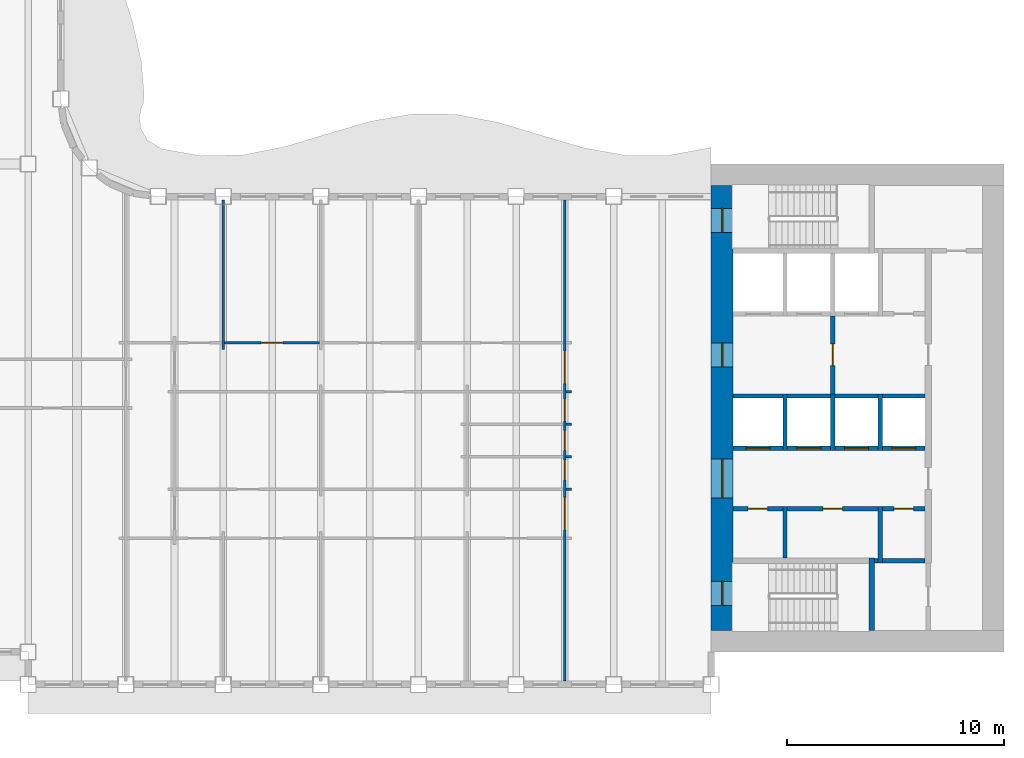
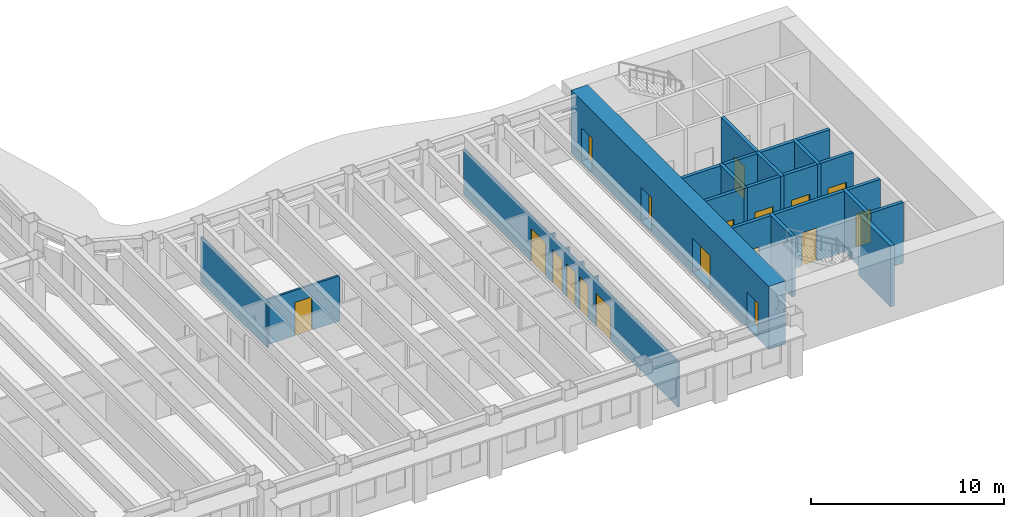
# One storey, part 6 of 16: 28 walls, 18 doors, 18 openings.
"""IFC4 building model written with IfcOpenShell, lengths in metres."""

from ifc_helpers import new_model, si_unit, direction, frame, frame_2d, origin, place, context, subcontext, project, spatial, rectangle, extrude, material, layer, layer_set, type_object, element, fill, save


model = new_model("IFC4")

# Units and contexts
model_context = context("Model", 3, precision=1e-05, world=origin(), true_north=direction((0.0, 1.0)))
body_context = subcontext(model_context, "Body", "Model", "MODEL_VIEW")
ifc_project = project(units=[si_unit("LENGTHUNIT", "METRE"), si_unit("AREAUNIT", "SQUARE_METRE"), si_unit("VOLUMEUNIT", "CUBIC_METRE"), si_unit("PLANEANGLEUNIT", "RADIAN"), si_unit("MASSUNIT", "GRAM", prefix="KILO")], contexts=[model_context])

# Site, building, storey
site_placement = place(None, origin())
site = spatial("IfcSite", under=ifc_project, at=site_placement, CompositionType="ELEMENT")
building_placement = place(site_placement, origin())
building = spatial("IfcBuilding", under=site, at=building_placement, Name="Sennacour Bend Tower", CompositionType="ELEMENT")
storey_placement = place(building_placement, frame((0.0, 0.0, 211.0)))
storey = spatial("IfcBuildingStorey", under=building, at=storey_placement, Name="L48", CompositionType="ELEMENT", Elevation=211.0)

# Wall, openings, doors
ifc_material_1 = material(Name="Concrete C60/75", Category="concrete")
ifc_layer_1 = layer(ifc_material_1, 1.0, Name="Concrete C60/75", Category="concrete")
ifc_layer_set_1 = layer_set([ifc_layer_1], Name="Concrete C60/75")
wall_type_1 = type_object("IfcWallType", Name="Core wall 1000 C60/75", PredefinedType="SHEAR", material=ifc_layer_set_1)
wall_1_placement = place(storey_placement, frame((54.5, 1.0, -0.14990234375), z_axis=(0.0, 0.0, 1.0), x_axis=(0.0, 1.0, 0.0)))
wall_1 = element("IfcWall", 1, at=wall_1_placement, inside=storey, type_object=wall_type_1, Name="Core A wall L48 W", PredefinedType="SHEAR", context=body_context, shape_type="SweptSolid", body=[
    extrude(rectangle(XDim=20.5, YDim=1.0, at=frame_2d((10.25, 0.0))), origin(), (0.0, 0.0, 1.0), 4.0),
])
opening_1_placement = place(wall_1_placement, frame((6.10009765625, 0.0, 0.14990234375)))
opening_1 = element("IfcOpeningElement", 2, at=opening_1_placement, cuts=wall_1, Name="Opening CD", PredefinedType="OPENING", context=body_context, shape_type="SweptSolid", body=[
    extrude(rectangle(XDim=1.800048828125, YDim=2.10009765625, at=frame_2d((0.89990234375, 1.050048828125))), frame((0.0, 0.510009765625, 0.0), z_axis=(0.0, -1.0, 0.0), x_axis=(1.0, 0.0, 0.0)), (0.0, 0.0, 1.0), 1.02001953125),
])
opening_2_placement = place(wall_1_placement, frame((12.14990234375, 0.0, 0.14990234375)))
opening_2 = element("IfcOpeningElement", 3, at=opening_2_placement, cuts=wall_1, Name="Opening FD", PredefinedType="OPENING", context=body_context, shape_type="SweptSolid", body=[
    extrude(rectangle(XDim=1.10009765625, YDim=2.10009765625, at=frame_2d((0.550048828125, 1.050048828125))), frame((0.0, 0.510009765625, 0.0), z_axis=(0.0, -1.0, 0.0), x_axis=(1.0, 0.0, 0.0)), (0.0, 0.0, 1.0), 1.02001953125),
])
opening_3_placement = place(wall_1_placement, frame((1.14990234375, 0.0, 0.14990234375)))
opening_3 = element("IfcOpeningElement", 4, at=opening_3_placement, cuts=wall_1, Name="Opening SD", PredefinedType="OPENING", context=body_context, shape_type="SweptSolid", body=[
    extrude(rectangle(XDim=1.10009765625, YDim=2.10009765625, at=frame_2d((0.550048828125, 1.050048828125))), frame((0.0, 0.510009765625, 0.0), z_axis=(0.0, -1.0, 0.0), x_axis=(1.0, 0.0, 0.0)), (0.0, 0.0, 1.0), 1.02001953125),
])
opening_4_placement = place(wall_1_placement, frame((18.35009765625, 0.0, 0.14990234375)))
opening_4 = element("IfcOpeningElement", 5, at=opening_4_placement, cuts=wall_1, Name="Opening SD", PredefinedType="OPENING", context=body_context, shape_type="SweptSolid", body=[
    extrude(rectangle(XDim=1.10009765625, YDim=2.10009765625, at=frame_2d((0.550048828125, 1.050048828125))), frame((0.0, 0.510009765625, 0.0), z_axis=(0.0, -1.0, 0.0), x_axis=(1.0, 0.0, 0.0)), (0.0, 0.0, 1.0), 1.02001953125),
])
ifc_material_2 = material(Name="Painted steel", Category="steel")
door_type_1 = type_object("IfcDoorType", Name="DR-FFL-1100", OperationType="NOTDEFINED", PredefinedType="DOOR", material=ifc_material_2)
door_1_placement = place(opening_2_placement, origin())
door_1 = element("IfcDoor", 6, at=door_1_placement, inside=storey, type_object=door_type_1, Name="Door", OperationType="SINGLE_SWING_RIGHT", OverallHeight=2.10009765625, OverallWidth=1.10009765625, PredefinedType="DOOR", context=body_context, shape_type="SweptSolid", body=[
    extrude(rectangle(XDim=1.10009765625, YDim=2.10009765625, at=frame_2d((0.550048828125, 1.050048828125))), frame((0.0, 0.02490234375, 0.0), z_axis=(0.0, -1.0, 0.0), x_axis=(1.0, 0.0, 0.0)), (0.0, 0.0, 1.0), 0.050048828125),
])
fill(opening_2, door_1)
door_type_2 = type_object("IfcDoorType", Name="DR-LOBBY-1800", OperationType="NOTDEFINED", PredefinedType="DOOR", material=ifc_material_2)
door_2_placement = place(opening_1_placement, origin())
door_2 = element("IfcDoor", 7, at=door_2_placement, inside=storey, type_object=door_type_2, Name="Door", OperationType="DOUBLE_DOOR_SINGLE_SWING", OverallHeight=2.10009765625, OverallWidth=1.800048828125, PredefinedType="DOOR", context=body_context, shape_type="SweptSolid", body=[
    extrude(rectangle(XDim=1.800048828125, YDim=2.10009765625, at=frame_2d((0.89990234375, 1.050048828125))), frame((0.0, 0.02490234375, 0.0), z_axis=(0.0, -1.0, 0.0), x_axis=(1.0, 0.0, 0.0)), (0.0, 0.0, 1.0), 0.050048828125),
])
fill(opening_1, door_2)
door_type_3 = type_object("IfcDoorType", Name="DR-STAIR-1100", OperationType="NOTDEFINED", PredefinedType="DOOR", material=ifc_material_2)
door_3_placement = place(opening_3_placement, origin())
door_3 = element("IfcDoor", 8, at=door_3_placement, inside=storey, type_object=door_type_3, Name="Door", OperationType="SINGLE_SWING_LEFT", OverallHeight=2.10009765625, OverallWidth=1.10009765625, PredefinedType="DOOR", context=body_context, shape_type="SweptSolid", body=[
    extrude(rectangle(XDim=1.10009765625, YDim=2.10009765625, at=frame_2d((0.550048828125, 1.050048828125))), frame((0.0, 0.02490234375, 0.0), z_axis=(0.0, -1.0, 0.0), x_axis=(1.0, 0.0, 0.0)), (0.0, 0.0, 1.0), 0.050048828125),
])
fill(opening_3, door_3)
door_4_placement = place(opening_4_placement, origin())
door_4 = element("IfcDoor", 9, at=door_4_placement, inside=storey, type_object=door_type_3, Name="Door", OperationType="SINGLE_SWING_RIGHT", OverallHeight=2.10009765625, OverallWidth=1.10009765625, PredefinedType="DOOR", context=body_context, shape_type="SweptSolid", body=[
    extrude(rectangle(XDim=1.10009765625, YDim=2.10009765625, at=frame_2d((0.550048828125, 1.050048828125))), frame((0.0, 0.02490234375, 0.0), z_axis=(0.0, -1.0, 0.0), x_axis=(1.0, 0.0, 0.0)), (0.0, 0.0, 1.0), 0.050048828125),
])
fill(opening_4, door_4)

# Walls
ifc_material_3 = material(Name="Plasterboard partition on steel studs", Category="steel")
ifc_layer_2 = layer(ifc_material_3, 0.1201171875, Name="Plasterboard partition on steel studs", Category="steel")
ifc_layer_set_2 = layer_set([ifc_layer_2], Name="Plasterboard partition on steel studs")
wall_type_2 = type_object("IfcWallType", Name="Partition 120", PredefinedType="PARTITIONING", material=ifc_layer_set_2)
wall_2_placement = place(storey_placement, frame((31.5, 13.949951171875, 0.0), z_axis=(0.0, 0.0, 1.0), x_axis=(0.0, 1.0, 0.0)))
element("IfcWall", 10, at=wall_2_placement, inside=storey, type_object=wall_type_2, Name="P-L48-W027a", PredefinedType="PARTITIONING", context=body_context, shape_type="SweptSolid", body=[
    extrude(rectangle(XDim=6.900146484375, YDim=0.1201171875, at=frame_2d((3.4501953125, 0.0))), origin(), (0.0, 0.0, 1.0), 2.8701171875),
])
for number, where, z_axis, x_axis, name in (
    (11, (47.31005859375, 7.5, 0.0), (0.0, 0.0, 1.0), (1.0, 0.0, 0.0), "P-L48-W057ae"),
    (12, (47.31005859375, 9.0, 0.0), (0.0, 0.0, 1.0), (1.0, 0.0, 0.0), "P-L48-W058ac"),
    (13, (47.31005859375, 10.5, 0.0), (0.0, 0.0, 1.0), (1.0, 0.0, 0.0), "P-L48-W060ac"),
    (14, (47.31005859375, 12.0, 0.0), (0.0, 0.0, 1.0), (1.0, 0.0, 0.0), "P-L48-W063ae"),
):
    element("IfcWall", number, at=place(storey_placement, frame(where, z_axis=z_axis, x_axis=x_axis)), inside=storey, type_object=wall_type_2, Name=name, PredefinedType="PARTITIONING", context=body_context, shape_type="SweptSolid", body=[
        extrude(rectangle(XDim=0.239990234375, YDim=0.1201171875, at=frame_2d((0.1201171875, 0.0))), origin(), (0.0, 0.0, 1.0), 2.8701171875),
    ])

# Wall, opening, door
wall_3_placement = place(storey_placement, frame((31.56005859375, 14.25, 0.0), z_axis=(0.0, 0.0, 1.0), x_axis=(1.0, 0.0, 0.0)))
wall_3 = element("IfcWall", 15, at=wall_3_placement, inside=storey, type_object=wall_type_2, Name="P-L48-W065ad", PredefinedType="PARTITIONING", context=body_context, shape_type="SweptSolid", body=[
    extrude(rectangle(XDim=4.3798828125, YDim=0.1201171875, at=frame_2d((2.18994140625, 0.0))), origin(), (0.0, 0.0, 1.0), 2.8701171875),
])
opening_5_placement = place(wall_3_placement, frame((1.68994140625, 0.0, 0.0)))
opening_5 = element("IfcOpeningElement", 16, at=opening_5_placement, cuts=wall_3, Name="Opening OD2", PredefinedType="OPENING", context=body_context, shape_type="SweptSolid", body=[
    extrude(rectangle(XDim=1.0, YDim=2.10009765625, at=frame_2d((0.5, 1.050048828125))), frame((0.0, 0.070068359375, 0.0), z_axis=(0.0, -1.0, 0.0), x_axis=(1.0, 0.0, 0.0)), (0.0, 0.0, 1.0), 0.14013671875),
])
ifc_material_4 = material(Name="Timber", Category="wood")
door_type_4 = type_object("IfcDoorType", Name="DR-OFFICE-1000", OperationType="NOTDEFINED", PredefinedType="DOOR", material=ifc_material_4)
door_5_placement = place(opening_5_placement, origin())
door_5 = element("IfcDoor", 17, at=door_5_placement, inside=storey, type_object=door_type_4, Name="Door", OperationType="SINGLE_SWING_LEFT", OverallHeight=2.10009765625, OverallWidth=1.0, PredefinedType="DOOR", context=body_context, shape_type="SweptSolid", body=[
    extrude(rectangle(XDim=1.0, YDim=2.10009765625, at=frame_2d((0.5, 1.050048828125))), frame((0.0, 0.02490234375, 0.0), z_axis=(0.0, -1.0, 0.0), x_axis=(1.0, 0.0, 0.0)), (0.0, 0.0, 1.0), 0.050048828125),
])
fill(opening_5, door_5)

# Wall, openings, doors
ifc_layer_3 = layer(ifc_material_3, 0.1201171875, Name="Plasterboard partition on steel studs", Category="steel")
ifc_layer_set_3 = layer_set([ifc_layer_3], Name="Plasterboard partition on steel studs")
wall_type_3 = type_object("IfcWallType", Name="Partition 120 EI 30", PredefinedType="PARTITIONING", material=ifc_layer_set_3)
wall_4_placement = place(storey_placement, frame((47.25, -1.35009765625, 0.0), z_axis=(0.0, 0.0, 1.0), x_axis=(0.0, 1.0, 0.0)))
wall_4 = element("IfcWall", 18, at=wall_4_placement, inside=storey, type_object=wall_type_3, Name="P-L48-W034a", PredefinedType="PARTITIONING", context=body_context, shape_type="SweptSolid", body=[
    extrude(rectangle(XDim=22.2001953125, YDim=0.1201171875, at=frame_2d((11.10009765625, 0.0))), origin(), (0.0, 0.0, 1.0), 2.8701171875),
])
opening_6_placement = place(wall_4_placement, frame((6.97509765625, 0.0, 0.0)))
opening_6 = element("IfcOpeningElement", 19, at=opening_6_placement, cuts=wall_4, Name="Opening KD", PredefinedType="OPENING", context=body_context, shape_type="SweptSolid", body=[
    extrude(rectangle(XDim=1.5, YDim=2.10009765625, at=frame_2d((0.75, 1.050048828125))), frame((0.0, 0.070068359375, 0.0), z_axis=(0.0, -1.0, 0.0), x_axis=(1.0, 0.0, 0.0)), (0.0, 0.0, 1.0), 0.14013671875),
])
opening_7_placement = place(wall_4_placement, frame((13.72509765625, 0.0, 0.0)))
opening_7 = element("IfcOpeningElement", 20, at=opening_7_placement, cuts=wall_4, Name="Opening KD", PredefinedType="OPENING", context=body_context, shape_type="SweptSolid", body=[
    extrude(rectangle(XDim=1.5, YDim=2.10009765625, at=frame_2d((0.75, 1.050048828125))), frame((0.0, 0.070068359375, 0.0), z_axis=(0.0, -1.0, 0.0), x_axis=(1.0, 0.0, 0.0)), (0.0, 0.0, 1.0), 0.14013671875),
])
opening_8_placement = place(wall_4_placement, frame((9.2900390625, 0.0, 0.0)))
opening_8 = element("IfcOpeningElement", 21, at=opening_8_placement, cuts=wall_4, Name="Opening WD", PredefinedType="OPENING", context=body_context, shape_type="SweptSolid", body=[
    extrude(rectangle(XDim=0.89990234375, YDim=2.10009765625, at=frame_2d((0.449951171875, 1.050048828125))), frame((0.0, 0.070068359375, 0.0), z_axis=(0.0, -1.0, 0.0), x_axis=(1.0, 0.0, 0.0)), (0.0, 0.0, 1.0), 0.14013671875),
])
opening_9_placement = place(wall_4_placement, frame((10.650146484375, 0.0, 0.0)))
opening_9 = element("IfcOpeningElement", 22, at=opening_9_placement, cuts=wall_4, Name="Opening WD", PredefinedType="OPENING", context=body_context, shape_type="SweptSolid", body=[
    extrude(rectangle(XDim=0.89990234375, YDim=2.10009765625, at=frame_2d((0.449951171875, 1.050048828125))), frame((0.0, 0.070068359375, 0.0), z_axis=(0.0, -1.0, 0.0), x_axis=(1.0, 0.0, 0.0)), (0.0, 0.0, 1.0), 0.14013671875),
])
opening_10_placement = place(wall_4_placement, frame((12.010009765625, 0.0, 0.0)))
opening_10 = element("IfcOpeningElement", 23, at=opening_10_placement, cuts=wall_4, Name="Opening AD", PredefinedType="OPENING", context=body_context, shape_type="SweptSolid", body=[
    extrude(rectangle(XDim=1.0, YDim=2.10009765625, at=frame_2d((0.5, 1.050048828125))), frame((0.0, 0.070068359375, 0.0), z_axis=(0.0, -1.0, 0.0), x_axis=(1.0, 0.0, 0.0)), (0.0, 0.0, 1.0), 0.14013671875),
])
door_type_5 = type_object("IfcDoorType", Name="DR-ACC-WC-1000", OperationType="NOTDEFINED", PredefinedType="DOOR", material=ifc_material_4)
door_6_placement = place(opening_10_placement, origin())
door_6 = element("IfcDoor", 24, at=door_6_placement, inside=storey, type_object=door_type_5, Name="Door", OperationType="SINGLE_SWING_RIGHT", OverallHeight=2.10009765625, OverallWidth=1.0, PredefinedType="DOOR", context=body_context, shape_type="SweptSolid", body=[
    extrude(rectangle(XDim=1.0, YDim=2.10009765625, at=frame_2d((0.5, 1.050048828125))), frame((0.0, 0.02490234375, 0.0), z_axis=(0.0, -1.0, 0.0), x_axis=(1.0, 0.0, 0.0)), (0.0, 0.0, 1.0), 0.050048828125),
])
fill(opening_10, door_6)
door_type_6 = type_object("IfcDoorType", Name="DR-CORRIDOR-1500", OperationType="NOTDEFINED", PredefinedType="DOOR", material=ifc_material_2)
door_7_placement = place(opening_6_placement, origin())
door_7 = element("IfcDoor", 25, at=door_7_placement, inside=storey, type_object=door_type_6, Name="Door", OperationType="SINGLE_SWING_LEFT", OverallHeight=2.10009765625, OverallWidth=1.5, PredefinedType="DOOR", context=body_context, shape_type="SweptSolid", body=[
    extrude(rectangle(XDim=1.5, YDim=2.10009765625, at=frame_2d((0.75, 1.050048828125))), frame((0.0, 0.02490234375, 0.0), z_axis=(0.0, -1.0, 0.0), x_axis=(1.0, 0.0, 0.0)), (0.0, 0.0, 1.0), 0.050048828125),
])
fill(opening_6, door_7)
door_8_placement = place(opening_7_placement, origin())
door_8 = element("IfcDoor", 26, at=door_8_placement, inside=storey, type_object=door_type_6, Name="Door", OperationType="SINGLE_SWING_RIGHT", OverallHeight=2.10009765625, OverallWidth=1.5, PredefinedType="DOOR", context=body_context, shape_type="SweptSolid", body=[
    extrude(rectangle(XDim=1.5, YDim=2.10009765625, at=frame_2d((0.75, 1.050048828125))), frame((0.0, 0.02490234375, 0.0), z_axis=(0.0, -1.0, 0.0), x_axis=(1.0, 0.0, 0.0)), (0.0, 0.0, 1.0), 0.050048828125),
])
fill(opening_7, door_8)
door_type_7 = type_object("IfcDoorType", Name="DR-WC-900", OperationType="NOTDEFINED", PredefinedType="DOOR", material=ifc_material_4)
door_9_placement = place(opening_8_placement, origin())
door_9 = element("IfcDoor", 27, at=door_9_placement, inside=storey, type_object=door_type_7, Name="Door", OperationType="SINGLE_SWING_LEFT", OverallHeight=2.10009765625, OverallWidth=0.89990234375, PredefinedType="DOOR", context=body_context, shape_type="SweptSolid", body=[
    extrude(rectangle(XDim=0.89990234375, YDim=2.10009765625, at=frame_2d((0.449951171875, 1.050048828125))), frame((0.0, 0.02490234375, 0.0), z_axis=(0.0, -1.0, 0.0), x_axis=(1.0, 0.0, 0.0)), (0.0, 0.0, 1.0), 0.050048828125),
])
fill(opening_8, door_9)
door_10_placement = place(opening_9_placement, origin())
door_10 = element("IfcDoor", 28, at=door_10_placement, inside=storey, type_object=door_type_7, Name="Door", OperationType="SINGLE_SWING_RIGHT", OverallHeight=2.10009765625, OverallWidth=0.89990234375, PredefinedType="DOOR", context=body_context, shape_type="SweptSolid", body=[
    extrude(rectangle(XDim=0.89990234375, YDim=2.10009765625, at=frame_2d((0.449951171875, 1.050048828125))), frame((0.0, 0.02490234375, 0.0), z_axis=(0.0, -1.0, 0.0), x_axis=(1.0, 0.0, 0.0)), (0.0, 0.0, 1.0), 0.050048828125),
])
fill(opening_9, door_10)

# Walls
ifc_material_5 = material(Name="Fire-rated plasterboard partition on steel studs", Category="steel")
ifc_layer_4 = layer(ifc_material_5, 0.199951171875, Name="Fire-rated plasterboard partition on steel studs", Category="steel")
ifc_layer_set_4 = layer_set([ifc_layer_4], Name="Fire-rated plasterboard partition on steel studs")
wall_type_4 = type_object("IfcWallType", Name="Rated partition 200", PredefinedType="PARTITIONING", material=ifc_layer_set_4)
wall_5_placement = place(storey_placement, frame((57.39990234375, 4.324951171875, 0.0), z_axis=(0.0, 0.0, 1.0), x_axis=(0.0, 1.0, 0.0)))
element("IfcWall", 29, at=wall_5_placement, inside=storey, type_object=wall_type_4, Name="P-L48-W036", PredefinedType="PARTITIONING", context=body_context, shape_type="SweptSolid", body=[
    extrude(rectangle(XDim=2.375, YDim=0.199951171875, at=frame_2d((1.1875, 0.0))), origin(), (0.0, 0.0, 1.0), 3.85009765625),
])
wall_6_placement = place(storey_placement, frame((61.800048828125, 4.10009765625, 0.0), z_axis=(0.0, 0.0, 1.0), x_axis=(0.0, 1.0, 0.0)))
element("IfcWall", 30, at=wall_6_placement, inside=storey, type_object=wall_type_4, Name="P-L48-W044", PredefinedType="PARTITIONING", context=body_context, shape_type="SweptSolid", body=[
    extrude(rectangle(XDim=2.599853515625, YDim=0.199951171875, at=frame_2d((1.2998046875, 0.0))), origin(), (0.0, 0.0, 1.0), 3.85009765625),
])
wall_7_placement = place(storey_placement, frame((61.52490234375, 4.199951171875, 0.0), z_axis=(0.0, 0.0, 1.0), x_axis=(1.0, 0.0, 0.0)))
element("IfcWall", 31, at=wall_7_placement, inside=storey, type_object=wall_type_4, Name="P-L48-W054a", PredefinedType="PARTITIONING", context=body_context, shape_type="SweptSolid", body=[
    extrude(rectangle(XDim=0.175048828125, YDim=0.199951171875, at=frame_2d((0.08740234375, 0.0))), origin(), (0.0, 0.0, 1.0), 3.85009765625),
])
wall_8_placement = place(storey_placement, frame((61.89990234375, 4.199951171875, 0.0), z_axis=(0.0, 0.0, 1.0), x_axis=(1.0, 0.0, 0.0)))
element("IfcWall", 32, at=wall_8_placement, inside=storey, type_object=wall_type_4, Name="P-L48-W054b", PredefinedType="PARTITIONING", context=body_context, shape_type="SweptSolid", body=[
    extrude(rectangle(XDim=1.9501953125, YDim=0.199951171875, at=frame_2d((0.97509765625, 0.0))), origin(), (0.0, 0.0, 1.0), 3.85009765625),
])

# Wall, opening, door
wall_9_placement = place(storey_placement, frame((55.0, 6.60009765625, 0.0), z_axis=(0.0, 0.0, 1.0), x_axis=(1.0, 0.0, 0.0)))
wall_9 = element("IfcWall", 33, at=wall_9_placement, inside=storey, type_object=wall_type_4, Name="P-L48-W056a", PredefinedType="PARTITIONING", context=body_context, shape_type="SweptSolid", body=[
    extrude(rectangle(XDim=2.300048828125, YDim=0.199951171875, at=frame_2d((1.14990234375, 0.0))), origin(), (0.0, 0.0, 1.0), 3.85009765625),
])
opening_11_placement = place(wall_9_placement, frame((0.699951171875, 0.0, 0.0)))
opening_11 = element("IfcOpeningElement", 34, at=opening_11_placement, cuts=wall_9, Name="Opening SV", PredefinedType="OPENING", context=body_context, shape_type="SweptSolid", body=[
    extrude(rectangle(XDim=0.89990234375, YDim=2.10009765625, at=frame_2d((0.449951171875, 1.050048828125))), frame((0.0, 0.10986328125, 0.0), z_axis=(0.0, -1.0, 0.0), x_axis=(1.0, 0.0, 0.0)), (0.0, 0.0, 1.0), 0.219970703125),
])
door_type_8 = type_object("IfcDoorType", Name="DR-SERVICE-900", OperationType="NOTDEFINED", PredefinedType="DOOR", material=ifc_material_2)
door_11_placement = place(opening_11_placement, origin())
door_11 = element("IfcDoor", 35, at=door_11_placement, inside=storey, type_object=door_type_8, Name="Door", OperationType="SINGLE_SWING_LEFT", OverallHeight=2.10009765625, OverallWidth=0.89990234375, PredefinedType="DOOR", context=body_context, shape_type="SweptSolid", body=[
    extrude(rectangle(XDim=0.89990234375, YDim=2.10009765625, at=frame_2d((0.449951171875, 1.050048828125))), frame((0.0, 0.02490234375, 0.0), z_axis=(0.0, -1.0, 0.0), x_axis=(1.0, 0.0, 0.0)), (0.0, 0.0, 1.0), 0.050048828125),
])
fill(opening_11, door_11)

wall_10_placement = place(storey_placement, frame((57.5, 6.60009765625, 0.0), z_axis=(0.0, 0.0, 1.0), x_axis=(1.0, 0.0, 0.0)))
wall_10 = element("IfcWall", 36, at=wall_10_placement, inside=storey, type_object=wall_type_4, Name="P-L48-W056b", PredefinedType="PARTITIONING", context=body_context, shape_type="SweptSolid", body=[
    extrude(rectangle(XDim=4.199951171875, YDim=0.199951171875, at=frame_2d((2.10009765625, 0.0))), origin(), (0.0, 0.0, 1.0), 3.85009765625),
])
opening_12_placement = place(wall_10_placement, frame((1.64990234375, 0.0, 0.0)))
opening_12 = element("IfcOpeningElement", 37, at=opening_12_placement, cuts=wall_10, Name="Opening WD", PredefinedType="OPENING", context=body_context, shape_type="SweptSolid", body=[
    extrude(rectangle(XDim=0.89990234375, YDim=2.10009765625, at=frame_2d((0.449951171875, 1.050048828125))), frame((0.0, 0.10986328125, 0.0), z_axis=(0.0, -1.0, 0.0), x_axis=(1.0, 0.0, 0.0)), (0.0, 0.0, 1.0), 0.219970703125),
])
door_12_placement = place(opening_12_placement, origin())
door_12 = element("IfcDoor", 38, at=door_12_placement, inside=storey, type_object=door_type_7, Name="Door", OperationType="SINGLE_SWING_RIGHT", OverallHeight=2.10009765625, OverallWidth=0.89990234375, PredefinedType="DOOR", context=body_context, shape_type="SweptSolid", body=[
    extrude(rectangle(XDim=0.89990234375, YDim=2.10009765625, at=frame_2d((0.449951171875, 1.050048828125))), frame((0.0, 0.02490234375, 0.0), z_axis=(0.0, -1.0, 0.0), x_axis=(1.0, 0.0, 0.0)), (0.0, 0.0, 1.0), 0.050048828125),
])
fill(opening_12, door_12)

wall_11_placement = place(storey_placement, frame((61.89990234375, 6.60009765625, 0.0), z_axis=(0.0, 0.0, 1.0), x_axis=(1.0, 0.0, 0.0)))
wall_11 = element("IfcWall", 39, at=wall_11_placement, inside=storey, type_object=wall_type_4, Name="P-L48-W056c", PredefinedType="PARTITIONING", context=body_context, shape_type="SweptSolid", body=[
    extrude(rectangle(XDim=1.9501953125, YDim=0.199951171875, at=frame_2d((0.97509765625, 0.0))), origin(), (0.0, 0.0, 1.0), 3.85009765625),
])
opening_13_placement = place(wall_11_placement, frame((0.525146484375, 0.0, 0.0)))
opening_13 = element("IfcOpeningElement", 40, at=opening_13_placement, cuts=wall_11, Name="Opening SV", PredefinedType="OPENING", context=body_context, shape_type="SweptSolid", body=[
    extrude(rectangle(XDim=0.89990234375, YDim=2.10009765625, at=frame_2d((0.449951171875, 1.050048828125))), frame((0.0, 0.10986328125, 0.0), z_axis=(0.0, -1.0, 0.0), x_axis=(1.0, 0.0, 0.0)), (0.0, 0.0, 1.0), 0.219970703125),
])
door_13_placement = place(opening_13_placement, origin())
door_13 = element("IfcDoor", 41, at=door_13_placement, inside=storey, type_object=door_type_8, Name="Door", OperationType="SINGLE_SWING_LEFT", OverallHeight=2.10009765625, OverallWidth=0.89990234375, PredefinedType="DOOR", context=body_context, shape_type="SweptSolid", body=[
    extrude(rectangle(XDim=0.89990234375, YDim=2.10009765625, at=frame_2d((0.449951171875, 1.050048828125))), frame((0.0, 0.02490234375, 0.0), z_axis=(0.0, -1.0, 0.0), x_axis=(1.0, 0.0, 0.0)), (0.0, 0.0, 1.0), 0.050048828125),
])
fill(opening_13, door_13)

ifc_layer_5 = layer(ifc_material_5, 0.199951171875, Name="Fire-rated plasterboard partition on steel studs", Category="steel")
ifc_layer_set_5 = layer_set([ifc_layer_5], Name="Fire-rated plasterboard partition on steel studs")
wall_type_5 = type_object("IfcWallType", Name="Rated partition 200 EI 90", PredefinedType="PARTITIONING", material=ifc_layer_set_5)
wall_12_placement = place(storey_placement, frame((59.60009765625, 11.89990234375, 0.0), z_axis=(0.0, 0.0, 1.0), x_axis=(0.0, 1.0, 0.0)))
wall_12 = element("IfcWall", 42, at=wall_12_placement, inside=storey, type_object=wall_type_5, Name="P-L48-W040", PredefinedType="PARTITIONING", context=body_context, shape_type="SweptSolid", body=[
    extrude(rectangle(XDim=3.60009765625, YDim=0.199951171875, at=frame_2d((1.800048828125, 0.0))), origin(), (0.0, 0.0, 1.0), 3.85009765625),
])
opening_14_placement = place(wall_12_placement, frame((1.300048828125, 0.0, 0.0)))
opening_14 = element("IfcOpeningElement", 43, at=opening_14_placement, cuts=wall_12, Name="Opening FD2", PredefinedType="OPENING", context=body_context, shape_type="SweptSolid", body=[
    extrude(rectangle(XDim=1.0, YDim=2.10009765625, at=frame_2d((0.5, 1.050048828125))), frame((0.0, 0.10986328125, 0.0), z_axis=(0.0, -1.0, 0.0), x_axis=(1.0, 0.0, 0.0)), (0.0, 0.0, 1.0), 0.219970703125),
])
door_type_9 = type_object("IfcDoorType", Name="DR-FFL-1000", OperationType="NOTDEFINED", PredefinedType="DOOR", material=ifc_material_2)
door_14_placement = place(opening_14_placement, origin())
door_14 = element("IfcDoor", 44, at=door_14_placement, inside=storey, type_object=door_type_9, Name="Door", OperationType="SINGLE_SWING_LEFT", OverallHeight=2.10009765625, OverallWidth=1.0, PredefinedType="DOOR", context=body_context, shape_type="SweptSolid", body=[
    extrude(rectangle(XDim=1.0, YDim=2.10009765625, at=frame_2d((0.5, 1.050048828125))), frame((0.0, 0.02490234375, 0.0), z_axis=(0.0, -1.0, 0.0), x_axis=(1.0, 0.0, 0.0)), (0.0, 0.0, 1.0), 0.050048828125),
])
fill(opening_14, door_14)

# Walls
ifc_material_6 = material(Name="Concrete C50/60", Category="concrete")
ifc_layer_6 = layer(ifc_material_6, 0.199951171875, Name="Concrete C50/60", Category="concrete")
ifc_layer_set_6 = layer_set([ifc_layer_6], Name="Concrete C50/60")
wall_type_6 = type_object("IfcWallType", Name="Shaft wall 200", PredefinedType="SOLIDWALL", material=ifc_layer_set_6)
for number, where, z_axis, x_axis, name in (
    (45, (57.39990234375, 9.300048828125, 0.0), (0.0, 0.0, 1.0), (0.0, 1.0, 0.0), "P-L48-W037"),
    (46, (59.60009765625, 9.300048828125, 0.0), (0.0, 0.0, 1.0), (0.0, 1.0, 0.0), "P-L48-W039"),
    (47, (61.800048828125, 9.300048828125, 0.0), (0.0, 0.0, 1.0), (0.0, 1.0, 0.0), "P-L48-W045"),
):
    element("IfcWall", number, at=place(storey_placement, frame(where, z_axis=z_axis, x_axis=x_axis)), inside=storey, type_object=wall_type_6, Name=name, PredefinedType="SOLIDWALL", context=body_context, shape_type="SweptSolid", body=[
        extrude(rectangle(XDim=2.599853515625, YDim=0.199951171875, at=frame_2d((1.2998046875, 0.0))), origin(), (0.0, 0.0, 1.0), 3.85009765625),
    ])

# Wall, opening, door
wall_13_placement = place(storey_placement, frame((55.0, 9.39990234375, 0.0), z_axis=(0.0, 0.0, 1.0), x_axis=(1.0, 0.0, 0.0)))
wall_13 = element("IfcWall", 48, at=wall_13_placement, inside=storey, type_object=wall_type_6, Name="P-L48-W059a", PredefinedType="SOLIDWALL", context=body_context, shape_type="SweptSolid", body=[
    extrude(rectangle(XDim=2.300048828125, YDim=0.199951171875, at=frame_2d((1.14990234375, 0.0))), origin(), (0.0, 0.0, 1.0), 3.85009765625),
])
opening_15_placement = place(wall_13_placement, frame((0.60009765625, 0.0, 0.011962890625)))
opening_15 = element("IfcOpeningElement", 49, at=opening_15_placement, cuts=wall_13, Name="Opening LD", PredefinedType="OPENING", context=body_context, shape_type="SweptSolid", body=[
    extrude(rectangle(XDim=1.10009765625, YDim=2.10009765625, at=frame_2d((0.550048828125, 1.050048828125))), frame((0.0, 0.10986328125, 0.0), z_axis=(0.0, -1.0, 0.0), x_axis=(1.0, 0.0, 0.0)), (0.0, 0.0, 1.0), 0.219970703125),
])
ifc_material_7 = material(Name="Stainless steel", Category="steel")
door_type_10 = type_object("IfcDoorType", Name="DR-LANDING-1100", OperationType="NOTDEFINED", PredefinedType="DOOR", material=ifc_material_7)
door_15_placement = place(opening_15_placement, origin())
door_15 = element("IfcDoor", 50, at=door_15_placement, inside=storey, type_object=door_type_10, Name="Lift landing door HA1", OperationType="SLIDING_TO_LEFT", OverallHeight=2.10009765625, OverallWidth=1.10009765625, PredefinedType="DOOR", context=body_context, shape_type="SweptSolid", body=[
    extrude(rectangle(XDim=1.10009765625, YDim=2.10009765625, at=frame_2d((0.550048828125, 1.050048828125))), frame((0.0, 0.02490234375, 0.0), z_axis=(0.0, -1.0, 0.0), x_axis=(1.0, 0.0, 0.0)), (0.0, 0.0, 1.0), 0.050048828125),
])
fill(opening_15, door_15)

wall_14_placement = place(storey_placement, frame((57.5, 9.39990234375, 0.0), z_axis=(0.0, 0.0, 1.0), x_axis=(1.0, 0.0, 0.0)))
wall_14 = element("IfcWall", 51, at=wall_14_placement, inside=storey, type_object=wall_type_6, Name="P-L48-W059b", PredefinedType="SOLIDWALL", context=body_context, shape_type="SweptSolid", body=[
    extrude(rectangle(XDim=2.0, YDim=0.199951171875, at=frame_2d((1.0, 0.0))), origin(), (0.0, 0.0, 1.0), 3.85009765625),
])
opening_16_placement = place(wall_14_placement, frame((0.449951171875, 0.0, 0.011962890625)))
opening_16 = element("IfcOpeningElement", 52, at=opening_16_placement, cuts=wall_14, Name="Opening LD", PredefinedType="OPENING", context=body_context, shape_type="SweptSolid", body=[
    extrude(rectangle(XDim=1.10009765625, YDim=2.10009765625, at=frame_2d((0.550048828125, 1.050048828125))), frame((0.0, 0.10986328125, 0.0), z_axis=(0.0, -1.0, 0.0), x_axis=(1.0, 0.0, 0.0)), (0.0, 0.0, 1.0), 0.219970703125),
])
door_16_placement = place(opening_16_placement, origin())
door_16 = element("IfcDoor", 53, at=door_16_placement, inside=storey, type_object=door_type_10, Name="Lift landing door HA2", OperationType="SLIDING_TO_RIGHT", OverallHeight=2.10009765625, OverallWidth=1.10009765625, PredefinedType="DOOR", context=body_context, shape_type="SweptSolid", body=[
    extrude(rectangle(XDim=1.10009765625, YDim=2.10009765625, at=frame_2d((0.550048828125, 1.050048828125))), frame((0.0, 0.02490234375, 0.0), z_axis=(0.0, -1.0, 0.0), x_axis=(1.0, 0.0, 0.0)), (0.0, 0.0, 1.0), 0.050048828125),
])
fill(opening_16, door_16)

wall_15_placement = place(storey_placement, frame((59.699951171875, 9.39990234375, 0.0), z_axis=(0.0, 0.0, 1.0), x_axis=(1.0, 0.0, 0.0)))
wall_15 = element("IfcWall", 54, at=wall_15_placement, inside=storey, type_object=wall_type_6, Name="P-L48-W059c", PredefinedType="SOLIDWALL", context=body_context, shape_type="SweptSolid", body=[
    extrude(rectangle(XDim=2.0, YDim=0.199951171875, at=frame_2d((1.0, 0.0))), origin(), (0.0, 0.0, 1.0), 3.85009765625),
])
opening_17_placement = place(wall_15_placement, frame((0.449951171875, 0.0, 0.011962890625)))
opening_17 = element("IfcOpeningElement", 55, at=opening_17_placement, cuts=wall_15, Name="Opening LD", PredefinedType="OPENING", context=body_context, shape_type="SweptSolid", body=[
    extrude(rectangle(XDim=1.10009765625, YDim=2.10009765625, at=frame_2d((0.550048828125, 1.050048828125))), frame((0.0, 0.10986328125, 0.0), z_axis=(0.0, -1.0, 0.0), x_axis=(1.0, 0.0, 0.0)), (0.0, 0.0, 1.0), 0.219970703125),
])
door_17_placement = place(opening_17_placement, origin())
door_17 = element("IfcDoor", 56, at=door_17_placement, inside=storey, type_object=door_type_10, Name="Lift landing door HA3", OperationType="SLIDING_TO_LEFT", OverallHeight=2.10009765625, OverallWidth=1.10009765625, PredefinedType="DOOR", context=body_context, shape_type="SweptSolid", body=[
    extrude(rectangle(XDim=1.10009765625, YDim=2.10009765625, at=frame_2d((0.550048828125, 1.050048828125))), frame((0.0, 0.02490234375, 0.0), z_axis=(0.0, -1.0, 0.0), x_axis=(1.0, 0.0, 0.0)), (0.0, 0.0, 1.0), 0.050048828125),
])
fill(opening_17, door_17)

wall_16_placement = place(storey_placement, frame((61.89990234375, 9.39990234375, 0.0), z_axis=(0.0, 0.0, 1.0), x_axis=(1.0, 0.0, 0.0)))
wall_16 = element("IfcWall", 57, at=wall_16_placement, inside=storey, type_object=wall_type_6, Name="P-L48-W059d", PredefinedType="SOLIDWALL", context=body_context, shape_type="SweptSolid", body=[
    extrude(rectangle(XDim=1.9501953125, YDim=0.199951171875, at=frame_2d((0.97509765625, 0.0))), origin(), (0.0, 0.0, 1.0), 3.85009765625),
])
opening_18_placement = place(wall_16_placement, frame((0.425048828125, 0.0, 0.011962890625)))
opening_18 = element("IfcOpeningElement", 58, at=opening_18_placement, cuts=wall_16, Name="Opening LD", PredefinedType="OPENING", context=body_context, shape_type="SweptSolid", body=[
    extrude(rectangle(XDim=1.10009765625, YDim=2.10009765625, at=frame_2d((0.550048828125, 1.050048828125))), frame((0.0, 0.10986328125, 0.0), z_axis=(0.0, -1.0, 0.0), x_axis=(1.0, 0.0, 0.0)), (0.0, 0.0, 1.0), 0.219970703125),
])
door_18_placement = place(opening_18_placement, origin())
door_18 = element("IfcDoor", 59, at=door_18_placement, inside=storey, type_object=door_type_10, Name="Lift landing door HA4", OperationType="SLIDING_TO_RIGHT", OverallHeight=2.10009765625, OverallWidth=1.10009765625, PredefinedType="DOOR", context=body_context, shape_type="SweptSolid", body=[
    extrude(rectangle(XDim=1.10009765625, YDim=2.10009765625, at=frame_2d((0.550048828125, 1.050048828125))), frame((0.0, 0.02490234375, 0.0), z_axis=(0.0, -1.0, 0.0), x_axis=(1.0, 0.0, 0.0)), (0.0, 0.0, 1.0), 0.050048828125),
])
fill(opening_18, door_18)

# Walls
wall_17_placement = place(storey_placement, frame((55.0, 11.800048828125, 0.0), z_axis=(0.0, 0.0, 1.0), x_axis=(1.0, 0.0, 0.0)))
element("IfcWall", 60, at=wall_17_placement, inside=storey, type_object=wall_type_6, Name="P-L48-W062a", PredefinedType="SOLIDWALL", context=body_context, shape_type="SweptSolid", body=[
    extrude(rectangle(XDim=2.300048828125, YDim=0.199951171875, at=frame_2d((1.14990234375, 0.0))), origin(), (0.0, 0.0, 1.0), 3.85009765625),
])
for number, where, z_axis, x_axis, name in (
    (61, (57.5, 11.800048828125, 0.0), (0.0, 0.0, 1.0), (1.0, 0.0, 0.0), "P-L48-W062b"),
    (62, (59.699951171875, 11.800048828125, 0.0), (0.0, 0.0, 1.0), (1.0, 0.0, 0.0), "P-L48-W062c"),
):
    element("IfcWall", number, at=place(storey_placement, frame(where, z_axis=z_axis, x_axis=x_axis)), inside=storey, type_object=wall_type_6, Name=name, PredefinedType="SOLIDWALL", context=body_context, shape_type="SweptSolid", body=[
        extrude(rectangle(XDim=2.0, YDim=0.199951171875, at=frame_2d((1.0, 0.0))), origin(), (0.0, 0.0, 1.0), 3.85009765625),
    ])
wall_18_placement = place(storey_placement, frame((61.89990234375, 11.800048828125, 0.0), z_axis=(0.0, 0.0, 1.0), x_axis=(1.0, 0.0, 0.0)))
element("IfcWall", 63, at=wall_18_placement, inside=storey, type_object=wall_type_6, Name="P-L48-W062d", PredefinedType="SOLIDWALL", context=body_context, shape_type="SweptSolid", body=[
    extrude(rectangle(XDim=1.9501953125, YDim=0.199951171875, at=frame_2d((0.97509765625, 0.0))), origin(), (0.0, 0.0, 1.0), 3.85009765625),
])
ifc_layer_7 = layer(ifc_material_1, 0.25, Name="Concrete C60/75", Category="concrete")
ifc_layer_set_7 = layer_set([ifc_layer_7], Name="Concrete C60/75")
wall_type_7 = type_object("IfcWallType", Name="Stair wall 250", PredefinedType="SHEAR", material=ifc_layer_set_7)
wall_19_placement = place(storey_placement, frame((61.39990234375, 1.0, 0.0), z_axis=(0.0, 0.0, 1.0), x_axis=(0.0, 1.0, 0.0)))
element("IfcWall", 64, at=wall_19_placement, inside=storey, type_object=wall_type_7, Name="P-L48-W042", PredefinedType="SHEAR", context=body_context, shape_type="SweptSolid", body=[
    extrude(rectangle(XDim=3.324951171875, YDim=0.25, at=frame_2d((1.66259765625, 0.0))), origin(), (0.0, 0.0, 1.0), 3.85009765625),
])

save(model, "model.ifc")
